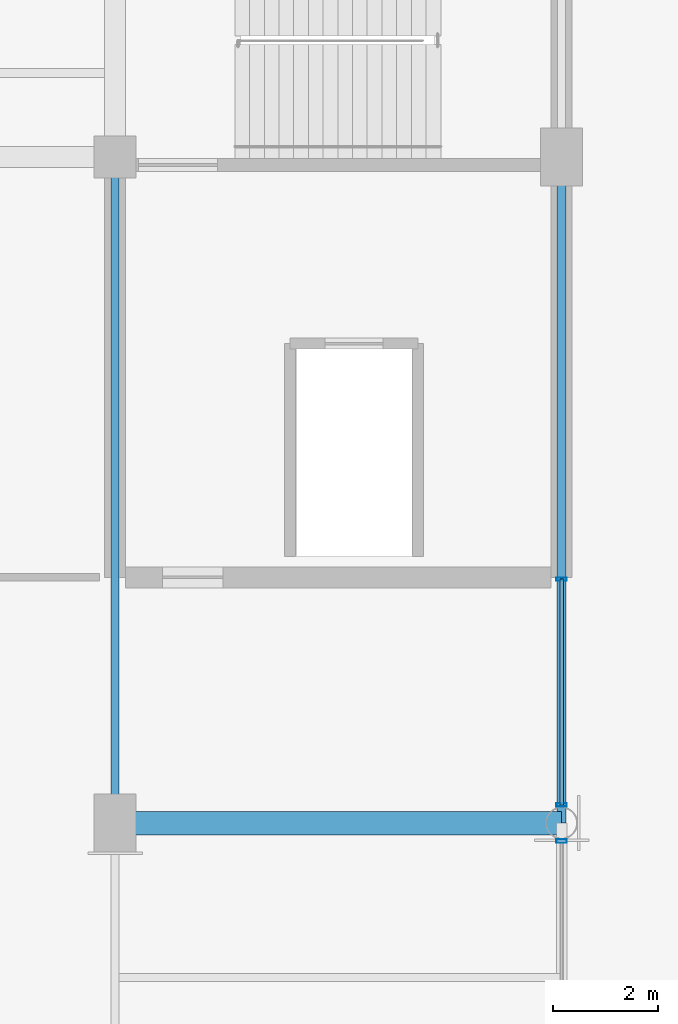
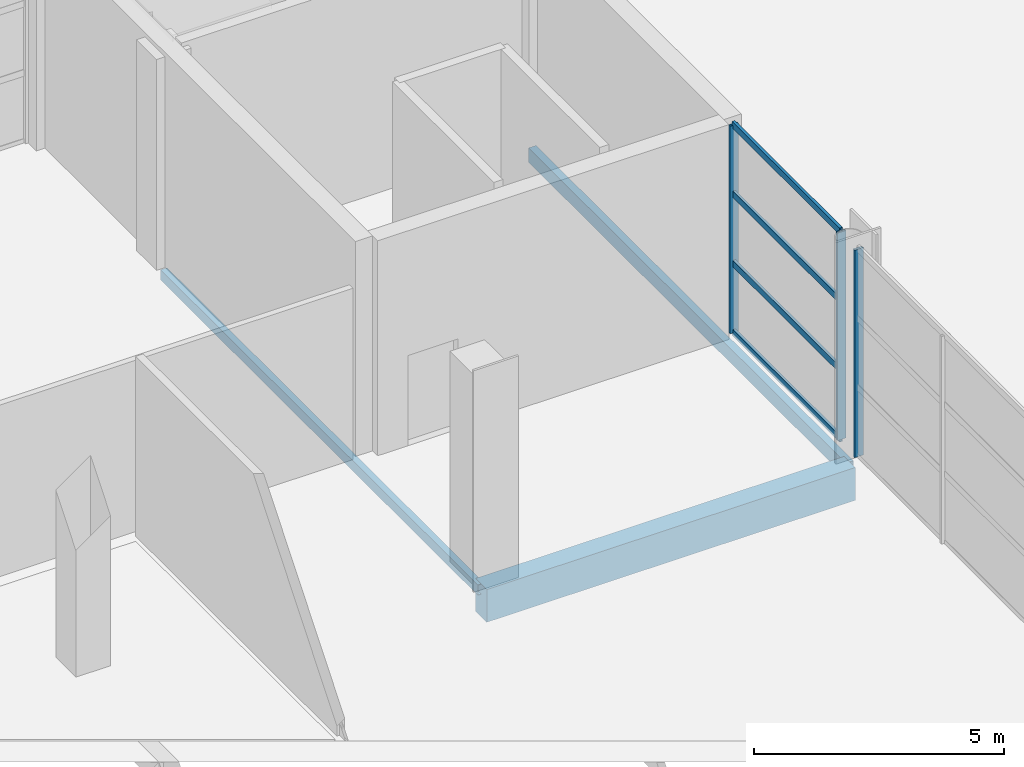
# One storey, part 17 of 90: 7 members, 3 beams, 2 elements without a shape of their own.
"""IFC4 building model written with IfcOpenShell, lengths in metres."""

from ifc_helpers import new_model, si_unit, direction, frame, origin, origin_2d, place, context, subcontext, project, spatial, rectangle, hollow_rectangle, extrude, material, material_profile, profile_set, type_object, element, aggregate, save


model = new_model("IFC4")

# Units and contexts
model_context = context("Model", 3, precision=1e-05, world=origin(), true_north=direction((0.0, 1.0)))
body_context = subcontext(model_context, "Body", "Model", "MODEL_VIEW")
ifc_project = project(units=[si_unit("LENGTHUNIT", "METRE"), si_unit("AREAUNIT", "SQUARE_METRE"), si_unit("VOLUMEUNIT", "CUBIC_METRE"), si_unit("PLANEANGLEUNIT", "RADIAN"), si_unit("MASSUNIT", "GRAM", prefix="KILO")], contexts=[model_context])

# Site, building, storey
site_placement = place(None, origin())
site = spatial("IfcSite", under=ifc_project, at=site_placement, CompositionType="ELEMENT")
building_placement = place(site_placement, origin())
building = spatial("IfcBuilding", under=site, at=building_placement, Name="Solvikara Media Centre", CompositionType="ELEMENT")
storey_placement = place(building_placement, origin())
storey = spatial("IfcBuildingStorey", under=building, at=storey_placement, Name="L00", CompositionType="ELEMENT", Elevation=0.0)

# Beams
ifc_material_1 = material(Name="Concrete fc' 35 MPa (C35/45)", Category="concrete")
ifc_material_profile_1 = material_profile(ifc_material_1, rectangle(XDim=0.449951171875, YDim=0.800048828125, at=origin_2d()), Name="RC 450x800")
ifc_profile_set_1 = profile_set([ifc_material_profile_1], Name="Concrete fc' 35 MPa (C35/45)")
beam_type_1 = type_object("IfcBeamType", Name="BM-06", PredefinedType="BEAM", material=ifc_profile_set_1)
beam_1_placement = place(storey_placement, frame((68.0, 19.320068359375, -0.739990234375), z_axis=(1.0, 0.0, 0.0), x_axis=(0.0, 1.0, 0.0)))
element("IfcBeam", 1, at=beam_1_placement, inside=storey, type_object=beam_type_1, Name="B-L00-X0030", PredefinedType="BEAM", context=body_context, shape_type="SweptSolid", body=[
    extrude(rectangle(XDim=0.449951171875, YDim=0.800048828125, at=origin_2d()), origin(), (0.0, 0.0, 1.0), 8.5),
])
ifc_material_2 = material(Name="Steel S355JR", Category="steel")
ifc_material_profile_2 = material_profile(ifc_material_2, hollow_rectangle(XDim=0.175048828125, YDim=0.35009765625, WallThickness=0.010009765625, at=origin_2d()), Name="RHS 350x175x10")
ifc_profile_set_2 = profile_set([ifc_material_profile_2], Name="Steel S355JR")
beam_type_2 = type_object("IfcBeamType", Name="BM-34", PredefinedType="SPANDREL", material=ifc_profile_set_2)
beam_2_placement = place(storey_placement, frame((76.5, 19.323974609375, -0.51708984375), z_axis=(0.0, 1.0, 0.0), x_axis=(-1.0, 0.0, 0.0)))
element("IfcBeam", 2, at=beam_2_placement, inside=storey, type_object=beam_type_2, Name="B-L00-Y0178", PredefinedType="SPANDREL", context=body_context, shape_type="SweptSolid", body=[
    extrude(hollow_rectangle(XDim=0.175048828125, YDim=0.35009765625, WallThickness=0.010009765625, at=origin_2d()), origin(), (0.0, 0.0, 1.0), 12.676025390625),
])
ifc_material_profile_3 = material_profile(ifc_material_2, hollow_rectangle(XDim=0.14990234375, YDim=0.25, WallThickness=0.008056640625, at=origin_2d()), Name="RHS 250x150x8")
ifc_profile_set_3 = profile_set([ifc_material_profile_3], Name="Steel S355JR")
beam_type_3 = type_object("IfcBeamType", Name="BM-36", PredefinedType="JOIST", material=ifc_profile_set_3)
beam_3_placement = place(storey_placement, frame((68.0, 19.323974609375, -0.467041015625), z_axis=(0.0, 1.0, 0.0), x_axis=(-1.0, 0.0, 0.0)))
element("IfcBeam", 3, at=beam_3_placement, inside=storey, type_object=beam_type_3, Name="B-L00-Y0174", PredefinedType="JOIST", context=body_context, shape_type="SweptSolid", body=[
    extrude(hollow_rectangle(XDim=0.14990234375, YDim=0.25, WallThickness=0.008056640625, at=origin_2d()), origin(), (0.0, 0.0, 1.0), 12.676025390625),
])

# Curtain wall, member
ifc_material_3 = material(Name="Anodised aluminium EN AW-6063", Category="aluminium")
curtain_wall_type = type_object("IfcCurtainWallType", Name="CW-14", PredefinedType="NOTDEFINED", material=ifc_material_3)
curtain_wall_1_placement = place(storey_placement, origin())
curtain_wall_1 = element("IfcCurtainWall", 4, at=curtain_wall_1_placement, inside=storey, type_object=curtain_wall_type, Name="CW-L00-V6-ENE-S1", PredefinedType="NOTDEFINED")
ifc_material_profile_4 = material_profile(ifc_material_3, hollow_rectangle(XDim=0.06494140625, YDim=0.199951171875, WallThickness=0.00390625, at=origin_2d()), Name="ALU-M 65x200x4")
ifc_profile_set_4 = profile_set([ifc_material_profile_4], Name="Anodised aluminium EN AW-6063")
member_type_1 = type_object("IfcMemberType", Name="MF-02", PredefinedType="MULLION", material=ifc_profile_set_4)
member_1_placement = place(storey_placement, frame((76.5, 18.97900390625, 0.02001953125), z_axis=(0.0, 0.0, 1.0), x_axis=(0.0, 1.0, 0.0)))
member_1 = element("IfcMember", 5, at=member_1_placement, type_object=member_type_1, Name="CW-L00-V6-ENE-S1-M02", PredefinedType="MULLION", context=body_context, shape_type="SweptSolid", body=[
    extrude(hollow_rectangle(XDim=0.06494140625, YDim=0.199951171875, WallThickness=0.00390625, at=origin_2d()), origin(), (0.0, 0.0, 1.0), 5.06005859375),
])
aggregate(curtain_wall_1, [member_1])

# Curtain wall, members
curtain_wall_2_placement = place(storey_placement, origin())
curtain_wall_2 = element("IfcCurtainWall", 6, at=curtain_wall_2_placement, inside=storey, type_object=curtain_wall_type, Name="CW-L00-V6-ENE-S2", PredefinedType="NOTDEFINED")
member_2_placement = place(storey_placement, frame((76.5, 19.6689453125, 0.02001953125), z_axis=(0.0, 0.0, 1.0), x_axis=(0.0, 1.0, 0.0)))
member_2 = element("IfcMember", 7, at=member_2_placement, type_object=member_type_1, Name="CW-L00-V6-ENE-S2-M00", PredefinedType="MULLION", context=body_context, shape_type="SweptSolid", body=[
    extrude(hollow_rectangle(XDim=0.06494140625, YDim=0.199951171875, WallThickness=0.00390625, at=origin_2d()), origin(), (0.0, 0.0, 1.0), 5.06005859375),
])
member_3_placement = place(storey_placement, frame((76.5, 23.965087890625, 0.02001953125), z_axis=(0.0, 0.0, 1.0), x_axis=(0.0, 1.0, 0.0)))
member_3 = element("IfcMember", 8, at=member_3_placement, type_object=member_type_1, Name="CW-L00-V6-ENE-S2-M01", PredefinedType="MULLION", context=body_context, shape_type="SweptSolid", body=[
    extrude(hollow_rectangle(XDim=0.06494140625, YDim=0.199951171875, WallThickness=0.00390625, at=origin_2d()), origin(), (0.0, 0.0, 1.0), 5.06005859375),
])
ifc_material_profile_5 = material_profile(ifc_material_3, hollow_rectangle(XDim=0.06494140625, YDim=0.159912109375, WallThickness=0.00341796875, at=origin_2d()), Name="ALU-T 65x160x3.5")
ifc_profile_set_5 = profile_set([ifc_material_profile_5], Name="Anodised aluminium EN AW-6063")
member_type_2 = type_object("IfcMemberType", Name="MF-08", PredefinedType="USERDEFINED", material=ifc_profile_set_5)
member_4_placement = place(storey_placement, frame((76.5, 19.6689453125, 0.02001953125), z_axis=(0.0, 1.0, 0.0), x_axis=(-1.0, 0.0, 0.0)))
member_4 = element("IfcMember", 9, at=member_4_placement, type_object=member_type_2, Name="CW-L00-V6-ENE-S2-T00", ObjectType="TRANSOM", PredefinedType="USERDEFINED", context=body_context, shape_type="SweptSolid", body=[
    extrude(hollow_rectangle(XDim=0.06494140625, YDim=0.159912109375, WallThickness=0.00341796875, at=origin_2d()), origin(), (0.0, 0.0, 1.0), 4.296142578125),
])
member_5_placement = place(storey_placement, frame((76.5, 19.6689453125, 1.70703125), z_axis=(0.0, 1.0, 0.0), x_axis=(-1.0, 0.0, 0.0)))
member_5 = element("IfcMember", 10, at=member_5_placement, type_object=member_type_2, Name="CW-L00-V6-ENE-S2-T01", ObjectType="TRANSOM", PredefinedType="USERDEFINED", context=body_context, shape_type="SweptSolid", body=[
    extrude(hollow_rectangle(XDim=0.06494140625, YDim=0.159912109375, WallThickness=0.00341796875, at=origin_2d()), origin(), (0.0, 0.0, 1.0), 4.296142578125),
])
member_6_placement = place(storey_placement, frame((76.5, 19.6689453125, 3.39306640625), z_axis=(0.0, 1.0, 0.0), x_axis=(-1.0, 0.0, 0.0)))
member_6 = element("IfcMember", 11, at=member_6_placement, type_object=member_type_2, Name="CW-L00-V6-ENE-S2-T02", ObjectType="TRANSOM", PredefinedType="USERDEFINED", context=body_context, shape_type="SweptSolid", body=[
    extrude(hollow_rectangle(XDim=0.06494140625, YDim=0.159912109375, WallThickness=0.00341796875, at=origin_2d()), origin(), (0.0, 0.0, 1.0), 4.296142578125),
])
member_7_placement = place(storey_placement, frame((76.5, 19.6689453125, 5.080078125), z_axis=(0.0, 1.0, 0.0), x_axis=(-1.0, 0.0, 0.0)))
member_7 = element("IfcMember", 12, at=member_7_placement, type_object=member_type_2, Name="CW-L00-V6-ENE-S2-T03", ObjectType="TRANSOM", PredefinedType="USERDEFINED", context=body_context, shape_type="SweptSolid", body=[
    extrude(hollow_rectangle(XDim=0.06494140625, YDim=0.159912109375, WallThickness=0.00341796875, at=origin_2d()), origin(), (0.0, 0.0, 1.0), 4.296142578125),
])
aggregate(curtain_wall_2, [member_2, member_3, member_4, member_5, member_6, member_7])

save(model, "model.ifc")
